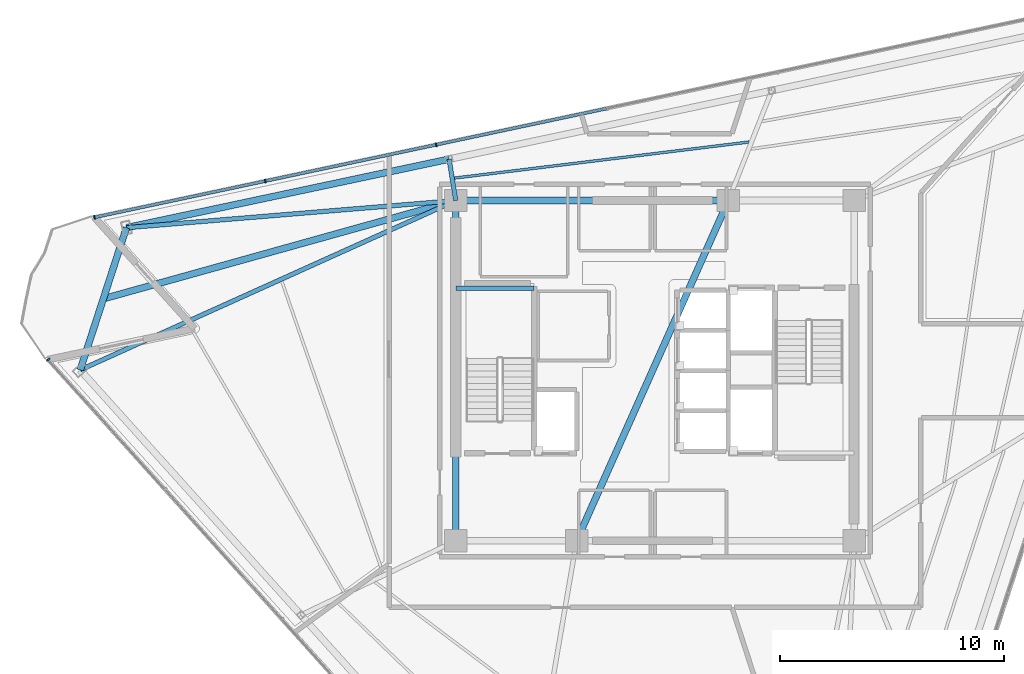
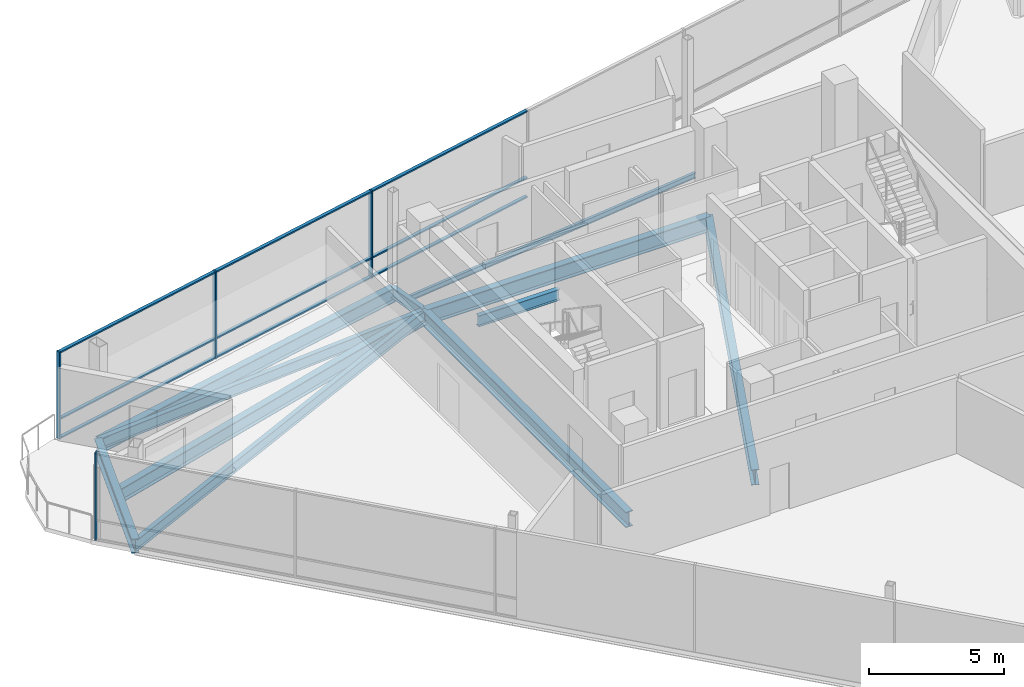
# One storey, part 7 of 16: 13 members, 11 beams, 2 elements without a shape of their own.
"""IFC4 building model written with IfcOpenShell, lengths in metres."""

from ifc_helpers import new_model, si_unit, direction, frame, origin, origin_2d, place, context, subcontext, project, spatial, rectangle, i_section, extrude, material, layer, layer_set, material_profile, profile_set, type_object, element, aggregate, save


model = new_model("IFC4")

# Units and contexts
model_context = context("Model", 3, precision=1e-05, world=origin(), true_north=direction((0.0, 1.0)))
body_context = subcontext(model_context, "Body", "Model", "MODEL_VIEW")
ifc_project = project(units=[si_unit("LENGTHUNIT", "METRE"), si_unit("AREAUNIT", "SQUARE_METRE"), si_unit("VOLUMEUNIT", "CUBIC_METRE"), si_unit("PLANEANGLEUNIT", "RADIAN"), si_unit("MASSUNIT", "GRAM", prefix="KILO")], contexts=[model_context])

# Site, building, storey
site_placement = place(None, origin())
site = spatial("IfcSite", under=ifc_project, at=site_placement, CompositionType="ELEMENT")
building_placement = place(site_placement, origin())
building = spatial("IfcBuilding", under=site, at=building_placement, Name="Tharavind Bronze Gate", CompositionType="ELEMENT")
storey_placement = place(building_placement, frame((0.0, 0.0, 302.14990234375)))
storey = spatial("IfcBuildingStorey", under=building, at=storey_placement, Name="L78", CompositionType="ELEMENT", Elevation=302.14990234375)

# Curtain wall, member
ifc_material_1 = material(Name="Anodised Bronze Aluminium", Category="aluminium")
ifc_layer = layer(ifc_material_1, 0.219970703125)
ifc_layer_set = layer_set([ifc_layer], Name="Anodised Bronze Aluminium")
curtain_wall_type = type_object("IfcCurtainWallType", Name="UNITISED CURTAIN WALL CROWN", PredefinedType="USERDEFINED", material=ifc_layer_set)
curtain_wall_1_placement = place(storey_placement, origin())
curtain_wall_1 = element("IfcCurtainWall", 1, at=curtain_wall_1_placement, inside=storey, type_object=curtain_wall_type, Name="L78 unitised curtain wall crown CW-L78-S1", ObjectType="UNITISED CURTAIN WALL", PredefinedType="USERDEFINED")
member_type_1 = type_object("IfcMemberType", Name="CURTAIN WALL BRONZE MULLION 65X180", PredefinedType="MULLION", material=ifc_material_1)
member_1_placement = place(storey_placement, frame((-27.105224609375, 0.4951171875, 0.0), z_axis=(0.0, 0.0, 1.0), x_axis=(0.669130606359, -0.743144825477, 0.0)))
member_1 = element("IfcMember", 2, at=member_1_placement, type_object=member_type_1, Name="CW-L78-S1 mullion 1", PredefinedType="MULLION", context=body_context, shape_type="SweptSolid", body=[
    extrude(rectangle(XDim=0.06494140625, YDim=0.179931640625, at=origin_2d()), origin(), (0.0, 0.0, 1.0), 3.949951171875),
])
aggregate(curtain_wall_1, [member_1])

# Curtain wall, members
curtain_wall_2_placement = place(storey_placement, origin())
curtain_wall_2 = element("IfcCurtainWall", 3, at=curtain_wall_2_placement, inside=storey, type_object=curtain_wall_type, Name="L78 unitised curtain wall crown CW-L78-S3", ObjectType="UNITISED CURTAIN WALL", PredefinedType="USERDEFINED")
member_2_placement = place(storey_placement, frame((-9.776611328125, 10.0927734375, 0.0), z_axis=(0.0, 0.0, 1.0), x_axis=(-0.978147237858, -0.207913398007, 0.0)))
member_2 = element("IfcMember", 4, at=member_2_placement, type_object=member_type_1, Name="CW-L78-S3 mullion 5", PredefinedType="MULLION", context=body_context, shape_type="SweptSolid", body=[
    extrude(rectangle(XDim=0.06494140625, YDim=0.179931640625, at=origin_2d()), origin(), (0.0, 0.0, 1.0), 3.949951171875),
])
member_3_placement = place(storey_placement, frame((-17.408935546875, 8.470458984375, 0.0), z_axis=(0.0, 0.0, 1.0), x_axis=(-0.978147237858, -0.207913398007, 0.0)))
member_3 = element("IfcMember", 5, at=member_3_placement, type_object=member_type_1, Name="CW-L78-S3 mullion 6", PredefinedType="MULLION", context=body_context, shape_type="SweptSolid", body=[
    extrude(rectangle(XDim=0.06494140625, YDim=0.179931640625, at=origin_2d()), origin(), (0.0, 0.0, 1.0), 3.949951171875),
])
member_4_placement = place(storey_placement, frame((-25.041015625, 6.84814453125, 0.0), z_axis=(0.0, 0.0, 1.0), x_axis=(-0.978147237858, -0.207913398007, 0.0)))
member_4 = element("IfcMember", 6, at=member_4_placement, type_object=member_type_1, Name="CW-L78-S3 mullion 7", PredefinedType="MULLION", context=body_context, shape_type="SweptSolid", body=[
    extrude(rectangle(XDim=0.06494140625, YDim=0.179931640625, at=origin_2d()), origin(), (0.0, 0.0, 1.0), 3.949951171875),
])
member_type_2 = type_object("IfcMemberType", Name="CURTAIN WALL BRONZE TRANSOM 65X140", PredefinedType="USERDEFINED", material=ifc_material_1)
member_5_placement = place(storey_placement, frame((-5.960693359375, 10.90380859375, 0.000244140625), z_axis=(0.0, 0.0, 1.0), x_axis=(-0.978147237858, -0.207913398007, 0.0)))
member_5 = element("IfcMember", 7, at=member_5_placement, type_object=member_type_2, Name="CW-L78-S3 transom TB4", ObjectType="TRANSOM", PredefinedType="USERDEFINED", context=body_context, shape_type="SweptSolid", body=[
    extrude(rectangle(XDim=7.749755859375, YDim=0.139892578125, at=origin_2d()), origin(), (0.0, 0.0, 1.0), 0.06494140625),
])
member_6_placement = place(storey_placement, frame((-5.960693359375, 10.90380859375, 0.86767578125), z_axis=(0.0, 0.0, 1.0), x_axis=(-0.978147237858, -0.207913398007, 0.0)))
member_6 = element("IfcMember", 8, at=member_6_placement, type_object=member_type_2, Name="CW-L78-S3 transom TS4", ObjectType="TRANSOM", PredefinedType="USERDEFINED", context=body_context, shape_type="SweptSolid", body=[
    extrude(rectangle(XDim=7.749755859375, YDim=0.139892578125, at=origin_2d()), origin(), (0.0, 0.0, 1.0), 0.06494140625),
])
member_7_placement = place(storey_placement, frame((-5.960693359375, 10.90380859375, 3.885009765625), z_axis=(0.0, 0.0, 1.0), x_axis=(-0.978147237858, -0.207913398007, 0.0)))
member_7 = element("IfcMember", 9, at=member_7_placement, type_object=member_type_2, Name="CW-L78-S3 transom TT4", ObjectType="TRANSOM", PredefinedType="USERDEFINED", context=body_context, shape_type="SweptSolid", body=[
    extrude(rectangle(XDim=7.749755859375, YDim=0.139892578125, at=origin_2d()), origin(), (0.0, 0.0, 1.0), 0.06494140625),
])
member_8_placement = place(storey_placement, frame((-13.5927734375, 9.281494140625, 0.000244140625), z_axis=(0.0, 0.0, 1.0), x_axis=(-0.978147237858, -0.207913398007, 0.0)))
member_8 = element("IfcMember", 10, at=member_8_placement, type_object=member_type_2, Name="CW-L78-S3 transom TB5", ObjectType="TRANSOM", PredefinedType="USERDEFINED", context=body_context, shape_type="SweptSolid", body=[
    extrude(rectangle(XDim=7.749755859375, YDim=0.139892578125, at=origin_2d()), origin(), (0.0, 0.0, 1.0), 0.06494140625),
])
member_9_placement = place(storey_placement, frame((-13.5927734375, 9.281494140625, 0.86767578125), z_axis=(0.0, 0.0, 1.0), x_axis=(-0.978147237858, -0.207913398007, 0.0)))
member_9 = element("IfcMember", 11, at=member_9_placement, type_object=member_type_2, Name="CW-L78-S3 transom TS5", ObjectType="TRANSOM", PredefinedType="USERDEFINED", context=body_context, shape_type="SweptSolid", body=[
    extrude(rectangle(XDim=7.749755859375, YDim=0.139892578125, at=origin_2d()), origin(), (0.0, 0.0, 1.0), 0.06494140625),
])
member_10_placement = place(storey_placement, frame((-13.5927734375, 9.281494140625, 3.885009765625), z_axis=(0.0, 0.0, 1.0), x_axis=(-0.978147237858, -0.207913398007, 0.0)))
member_10 = element("IfcMember", 12, at=member_10_placement, type_object=member_type_2, Name="CW-L78-S3 transom TT5", ObjectType="TRANSOM", PredefinedType="USERDEFINED", context=body_context, shape_type="SweptSolid", body=[
    extrude(rectangle(XDim=7.749755859375, YDim=0.139892578125, at=origin_2d()), origin(), (0.0, 0.0, 1.0), 0.06494140625),
])
member_11_placement = place(storey_placement, frame((-21.22509765625, 7.6591796875, 0.000244140625), z_axis=(0.0, 0.0, 1.0), x_axis=(-0.978147237858, -0.207913398007, 0.0)))
member_11 = element("IfcMember", 13, at=member_11_placement, type_object=member_type_2, Name="CW-L78-S3 transom TB6", ObjectType="TRANSOM", PredefinedType="USERDEFINED", context=body_context, shape_type="SweptSolid", body=[
    extrude(rectangle(XDim=7.749755859375, YDim=0.139892578125, at=origin_2d()), origin(), (0.0, 0.0, 1.0), 0.06494140625),
])
member_12_placement = place(storey_placement, frame((-21.22509765625, 7.6591796875, 0.86767578125), z_axis=(0.0, 0.0, 1.0), x_axis=(-0.978147237858, -0.207913398007, 0.0)))
member_12 = element("IfcMember", 14, at=member_12_placement, type_object=member_type_2, Name="CW-L78-S3 transom TS6", ObjectType="TRANSOM", PredefinedType="USERDEFINED", context=body_context, shape_type="SweptSolid", body=[
    extrude(rectangle(XDim=7.749755859375, YDim=0.139892578125, at=origin_2d()), origin(), (0.0, 0.0, 1.0), 0.06494140625),
])
member_13_placement = place(storey_placement, frame((-21.22509765625, 7.6591796875, 3.885009765625), z_axis=(0.0, 0.0, 1.0), x_axis=(-0.978147237858, -0.207913398007, 0.0)))
member_13 = element("IfcMember", 15, at=member_13_placement, type_object=member_type_2, Name="CW-L78-S3 transom TT6", ObjectType="TRANSOM", PredefinedType="USERDEFINED", context=body_context, shape_type="SweptSolid", body=[
    extrude(rectangle(XDim=7.749755859375, YDim=0.139892578125, at=origin_2d()), origin(), (0.0, 0.0, 1.0), 0.06494140625),
])
aggregate(curtain_wall_2, [member_2, member_3, member_4, member_5, member_6, member_7, member_8, member_9, member_10, member_11, member_12, member_13])

# Beams
ifc_material_2 = material(Name="Steel S355", Category="steel")
ifc_material_profile_1 = material_profile(ifc_material_2, i_section(OverallWidth=0.300048828125, OverallDepth=0.64990234375, WebThickness=0.01611328125, FlangeThickness=0.031005859375, at=origin_2d()), Name="HE650B")
ifc_profile_set_1 = profile_set([ifc_material_profile_1], Name="Steel S355")
beam_type_1 = type_object("IfcBeamType", Name="PRIMARY GIRDER HE650B", PredefinedType="USERDEFINED", material=ifc_profile_set_1)
beam_1_placement = place(storey_placement, frame((-9.197265625, 9.44921875, -0.52490234375), z_axis=(-0.97814794647, -0.207910064249, 0.0), x_axis=(0.207910064249, -0.97814794647, 0.0)))
element("IfcBeam", 16, at=beam_1_placement, inside=storey, type_object=beam_type_1, Name="L78 primary girder he650b BM-L78-PRG11", ObjectType="GIRDER", PredefinedType="USERDEFINED", context=body_context, shape_type="SweptSolid", body=[
    extrude(i_section(OverallWidth=0.300048828125, OverallDepth=0.64990234375, WebThickness=0.01611328125, FlangeThickness=0.031005859375, at=origin_2d()), origin(), (0.0, 0.0, 1.0), 14.7392578125),
])
beam_2_placement = place(storey_placement, frame((-23.614501953125, 6.384765625, -0.52490234375), z_axis=(-0.309014999798, -0.95105716437, 0.0), x_axis=(0.95105716437, -0.309014999798, 0.0)))
element("IfcBeam", 17, at=beam_2_placement, inside=storey, type_object=beam_type_1, Name="L78 primary girder he650b BM-L78-PRG12", ObjectType="GIRDER", PredefinedType="USERDEFINED", context=body_context, shape_type="SweptSolid", body=[
    extrude(i_section(OverallWidth=0.300048828125, OverallDepth=0.64990234375, WebThickness=0.01611328125, FlangeThickness=0.031005859375, at=origin_2d()), origin(), (0.0, 0.0, 1.0), 6.679931640625),
])
beam_3_placement = place(storey_placement, frame((-8.89990234375, 7.60009765625, -0.52490234375), z_axis=(-0.963236664958, -0.268654289527, 0.0), x_axis=(0.268654289527, -0.963236664958, 0.0)))
element("IfcBeam", 18, at=beam_3_placement, inside=storey, type_object=beam_type_1, Name="L78 primary girder he650b BM-L78-BLCSB", ObjectType="GIRDER", PredefinedType="USERDEFINED", context=body_context, shape_type="SweptSolid", body=[
    extrude(i_section(OverallWidth=0.300048828125, OverallDepth=0.64990234375, WebThickness=0.01611328125, FlangeThickness=0.031005859375, at=origin_2d()), origin(), (0.0, 0.0, 1.0), 16.34765625),
])
ifc_material_profile_2 = material_profile(ifc_material_2, i_section(OverallWidth=0.199951171875, OverallDepth=0.5, WebThickness=0.01025390625, FlangeThickness=0.01611328125, at=origin_2d()), Name="IPE500")
ifc_profile_set_2 = profile_set([ifc_material_profile_2], Name="Steel S355")
beam_type_2 = type_object("IfcBeamType", Name="PRIMARY GIRDER IPE500", PredefinedType="USERDEFINED", material=ifc_profile_set_2)
beam_4_placement = place(storey_placement, frame((-8.89990234375, 3.679931640625, 1.625), z_axis=(1.0, 0.0, 0.0), x_axis=(0.0, 1.0, 0.0)))
element("IfcBeam", 19, at=beam_4_placement, inside=storey, type_object=beam_type_2, Name="L78 primary girder ipe500 BM-LD-ST1-L78-1", ObjectType="GIRDER", PredefinedType="USERDEFINED", context=body_context, shape_type="SweptSolid", body=[
    extrude(i_section(OverallWidth=0.199951171875, OverallDepth=0.5, WebThickness=0.01025390625, FlangeThickness=0.01611328125, at=origin_2d()), origin(), (0.0, 0.0, 1.0), 3.5),
])
beam_5_placement = place(storey_placement, frame((-25.6787109375, 0.03173828125, -0.449951171875), z_axis=(0.911557320277, 0.411173019361, 0.0), x_axis=(-0.411173019361, 0.911557320277, 0.0)))
element("IfcBeam", 20, at=beam_5_placement, inside=storey, type_object=beam_type_2, Name="L78 primary girder ipe500 BM-L78-RAD01", ObjectType="GIRDER", PredefinedType="USERDEFINED", context=body_context, shape_type="SweptSolid", body=[
    extrude(i_section(OverallWidth=0.199951171875, OverallDepth=0.5, WebThickness=0.01025390625, FlangeThickness=0.01611328125, at=origin_2d()), origin(), (0.0, 0.0, 1.0), 18.40673828125),
])
beam_6_placement = place(storey_placement, frame((-9.197265625, 9.44921875, -0.449951171875), z_axis=(0.15877339987, -0.987315049766, 0.0), x_axis=(0.987315049766, 0.15877339987, 0.0)))
element("IfcBeam", 21, at=beam_6_placement, inside=storey, type_object=beam_type_2, Name="L78 primary girder ipe500 BM-L78-RAD11", ObjectType="GIRDER", PredefinedType="USERDEFINED", context=body_context, shape_type="SweptSolid", body=[
    extrude(i_section(OverallWidth=0.199951171875, OverallDepth=0.5, WebThickness=0.01025390625, FlangeThickness=0.01611328125, at=origin_2d()), origin(), (0.0, 0.0, 1.0), 1.872802734375),
])
beam_7_placement = place(storey_placement, frame((-23.614501953125, 6.384765625, -0.449951171875), z_axis=(0.996606499326, 0.082313337321, 0.0), x_axis=(-0.082313337321, 0.996606499326, 0.0)))
element("IfcBeam", 22, at=beam_7_placement, inside=storey, type_object=beam_type_2, Name="L78 primary girder ipe500 BM-L78-RAD12", ObjectType="GIRDER", PredefinedType="USERDEFINED", context=body_context, shape_type="SweptSolid", body=[
    extrude(i_section(OverallWidth=0.199951171875, OverallDepth=0.5, WebThickness=0.01025390625, FlangeThickness=0.01611328125, at=origin_2d()), origin(), (0.0, 0.0, 1.0), 14.7646484375),
])
ifc_material_profile_3 = material_profile(ifc_material_2, i_section(OverallWidth=0.300048828125, OverallDepth=0.699951171875, WebThickness=0.01708984375, FlangeThickness=0.031982421875, at=origin_2d()), Name="HE700B")
ifc_profile_set_3 = profile_set([ifc_material_profile_3], Name="Steel S355")
beam_type_3 = type_object("IfcBeamType", Name="RING GIRDER HE700B", PredefinedType="USERDEFINED", material=ifc_profile_set_3)
beam_8_placement = place(storey_placement, frame((3.280029296875, 7.60009765625, -0.5498046875), z_axis=(-1.0, 0.0, 0.0), x_axis=(0.0, -1.0, 0.0)))
element("IfcBeam", 23, at=beam_8_placement, inside=storey, type_object=beam_type_3, Name="L78 ring girder he700b BM-L78-CR5", ObjectType="GIRDER", PredefinedType="USERDEFINED", context=body_context, shape_type="SweptSolid", body=[
    extrude(i_section(OverallWidth=0.300048828125, OverallDepth=0.699951171875, WebThickness=0.01708984375, FlangeThickness=0.031982421875, at=origin_2d()), origin(), (0.0, 0.0, 1.0), 12.179931640625),
])
beam_9_placement = place(storey_placement, frame((-8.89990234375, 7.60009765625, -0.5498046875), z_axis=(0.0, -1.0, 0.0), x_axis=(1.0, 0.0, 0.0)))
element("IfcBeam", 24, at=beam_9_placement, inside=storey, type_object=beam_type_3, Name="L78 ring girder he700b BM-L78-CR6", ObjectType="GIRDER", PredefinedType="USERDEFINED", context=body_context, shape_type="SweptSolid", body=[
    extrude(i_section(OverallWidth=0.300048828125, OverallDepth=0.699951171875, WebThickness=0.01708984375, FlangeThickness=0.031982421875, at=origin_2d()), origin(), (0.0, 0.0, 1.0), 15.2001953125),
])
beam_10_placement = place(storey_placement, frame((-3.5, -7.60009765625, -0.5498046875), z_axis=(0.407361644566, 0.913266932795, 0.0), x_axis=(-0.913266932795, 0.407361644566, 0.0)))
element("IfcBeam", 25, at=beam_10_placement, inside=storey, type_object=beam_type_3, Name="L78 ring girder he700b BM-L78-CR7", ObjectType="GIRDER", PredefinedType="USERDEFINED", context=body_context, shape_type="SweptSolid", body=[
    extrude(i_section(OverallWidth=0.300048828125, OverallDepth=0.699951171875, WebThickness=0.01708984375, FlangeThickness=0.031982421875, at=origin_2d()), origin(), (0.0, 0.0, 1.0), 16.643798828125),
])
ifc_material_profile_4 = material_profile(ifc_material_2, i_section(OverallWidth=0.1201171875, OverallDepth=0.239990234375, WebThickness=0.006103515625, FlangeThickness=0.009765625, at=origin_2d()), Name="IPE240")
ifc_profile_set_4 = profile_set([ifc_material_profile_4], Name="Steel S355")
beam_type_4 = type_object("IfcBeamType", Name="SECONDARY FLOOR JOIST IPE240", PredefinedType="JOIST", material=ifc_profile_set_4)
beam_11_placement = place(storey_placement, frame((4.200927734375, 10.214599609375, -0.31982421875), z_axis=(-0.992572551394, -0.121654141807, 0.0), x_axis=(0.121654141807, -0.992572551394, 0.0)))
element("IfcBeam", 26, at=beam_11_placement, inside=storey, type_object=beam_type_4, Name="L78 secondary floor joist ipe240 BM-L78-JSTA10", PredefinedType="JOIST", context=body_context, shape_type="SweptSolid", body=[
    extrude(i_section(OverallWidth=0.1201171875, OverallDepth=0.239990234375, WebThickness=0.006103515625, FlangeThickness=0.009765625, at=origin_2d()), origin(), (0.0, 0.0, 1.0), 13.255126953125),
])

save(model, "model.ifc")
